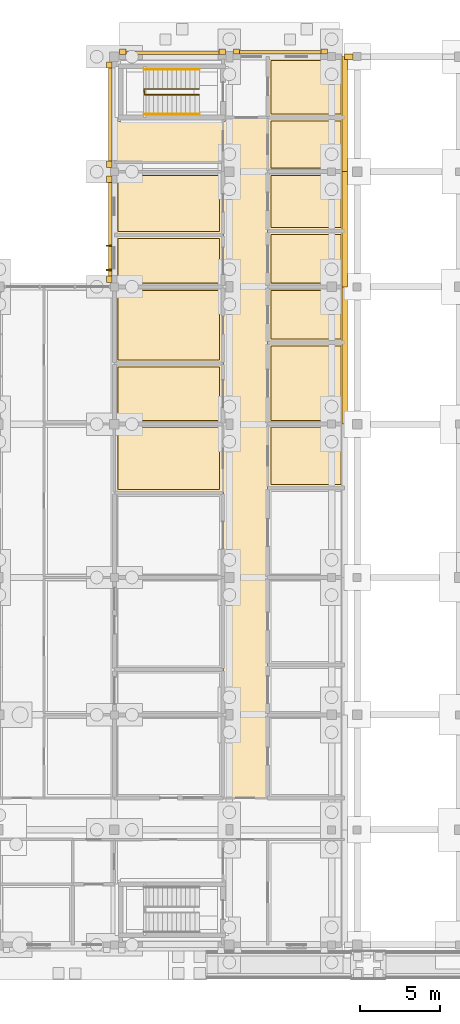
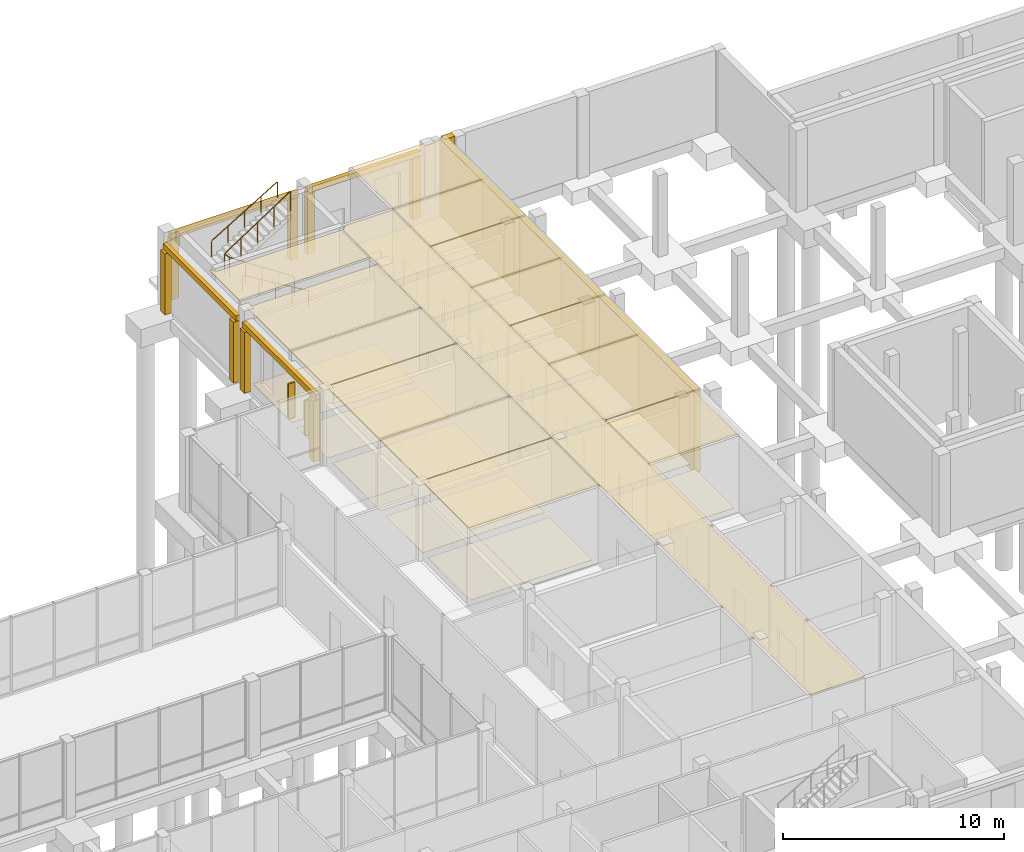
# One storey, part 102 of 104: 42 coverings, 3 railings, 2 shading devices.
"""IFC4 building model written with IfcOpenShell, lengths in metres."""

from ifc_helpers import new_model, si_unit, direction, frame, frame_2d, origin, origin_2d, place, context, subcontext, project, spatial, polyline, rectangle, circle, outline, extrude, material, layer, layer_set, type_object, element, save


model = new_model("IFC4")

# Units and contexts
model_context = context("Model", 3, precision=1e-05, world=origin(), true_north=direction((0.0, 1.0)))
body_context = subcontext(model_context, "Body", "Model", "MODEL_VIEW")
ifc_project = project(units=[si_unit("LENGTHUNIT", "METRE"), si_unit("AREAUNIT", "SQUARE_METRE"), si_unit("VOLUMEUNIT", "CUBIC_METRE"), si_unit("PLANEANGLEUNIT", "RADIAN"), si_unit("MASSUNIT", "GRAM", prefix="KILO")], contexts=[model_context])

# Site, building, storey
site_placement = place(None, origin())
site = spatial("IfcSite", under=ifc_project, at=site_placement, CompositionType="ELEMENT")
building_placement = place(site_placement, origin())
building = spatial("IfcBuilding", under=site, at=building_placement, Name="Hawrajan Terrace Health Centre", CompositionType="ELEMENT")
storey_placement = place(building_placement, origin())
storey = spatial("IfcBuildingStorey", under=building, at=storey_placement, Name="L00", CompositionType="ELEMENT", Elevation=0.0)

# Coverings
ifc_material_1 = material(Name="Precast concrete C40/50", Category="concrete")
ifc_layer_1 = layer(ifc_material_1, 0.219970703125)
ifc_layer_set_1 = layer_set([ifc_layer_1], Name="Precast concrete C40/50")
covering_type_1 = type_object("IfcCoveringType", Name="ArtDecoCorniceBand", PredefinedType="CLADDING", material=ifc_layer_set_1)
covering_1_placement = place(storey_placement, frame((114.739990234375, 49.0, 3.3701171875), z_axis=(0.0, 0.0, 1.0), x_axis=(0.0, 1.0, 0.0)))
element("IfcCovering", 1, at=covering_1_placement, inside=storey, type_object=covering_type_1, Name="Art Deco limestone cornice band CRN-L00-0042", PredefinedType="CLADDING", context=body_context, shape_type="SweptSolid", body=[
    extrude(rectangle(XDim=6.659912109375, YDim=0.219970703125, at=origin_2d()), origin(), (0.0, 0.0, 1.0), 0.300048828125),
])
covering_2_placement = place(storey_placement, frame((118.637451171875, 60.06005859375, 3.3701171875), z_axis=(0.0, 0.0, 1.0), x_axis=(1.0, 0.0, 0.0)))
element("IfcCovering", 2, at=covering_2_placement, inside=storey, type_object=covering_type_1, Name="Art Deco limestone cornice band CRN-L00-0043", PredefinedType="CLADDING", context=body_context, shape_type="SweptSolid", body=[
    extrude(rectangle(XDim=6.635009765625, YDim=0.219970703125, at=origin_2d()), origin(), (0.0, 0.0, 1.0), 0.300048828125),
])
covering_3_placement = place(storey_placement, frame((114.72998046875, 56.175048828125, 3.3701171875), z_axis=(0.0, 0.0, 1.0), x_axis=(0.0, 1.0, 0.0)))
element("IfcCovering", 3, at=covering_3_placement, inside=storey, type_object=covering_type_1, Name="Art Deco limestone cornice band CRN-L00-0044", PredefinedType="CLADDING", context=body_context, shape_type="SweptSolid", body=[
    extrude(rectangle(XDim=6.610107421875, YDim=0.219970703125, at=origin_2d()), origin(), (0.0, 0.0, 1.0), 0.300048828125),
])
covering_4_placement = place(storey_placement, frame((125.387451171875, 60.070068359375, 3.3701171875), z_axis=(0.0, 0.0, 1.0), x_axis=(1.0, 0.0, 0.0)))
element("IfcCovering", 4, at=covering_4_placement, inside=storey, type_object=covering_type_1, Name="Art Deco limestone cornice band CRN-L00-0046", PredefinedType="CLADDING", context=body_context, shape_type="SweptSolid", body=[
    extrude(rectangle(XDim=5.885009765625, YDim=0.219970703125, at=origin_2d()), origin(), (0.0, 0.0, 1.0), 0.300048828125),
])
ifc_layer_2 = layer(ifc_material_1, 0.340087890625)
ifc_layer_set_2 = layer_set([ifc_layer_2], Name="Precast concrete C40/50")
covering_type_2 = type_object("IfcCoveringType", Name="ArtDecoStonePilaster", PredefinedType="CLADDING", material=ifc_layer_set_2)
for number, where, z_axis, x_axis, name in (
    (5, (114.679931640625, 45.8701171875, 0.0), (0.0, 0.0, 1.0), (0.0, 1.0, 0.0), "Art Deco fluted limestone pilaster FPIL-L00-0053"),
    (6, (114.679931640625, 52.1298828125, 0.0), (0.0, 0.0, 1.0), (0.0, 1.0, 0.0), "Art Deco fluted limestone pilaster FPIL-L00-0054"),
    (7, (115.52001953125, 60.1201171875, 0.0), (0.0, 0.0, 1.0), (1.0, 0.0, 0.0), "Art Deco fluted limestone pilaster FPIL-L00-0055"),
    (8, (121.7548828125, 60.1201171875, 0.0), (0.0, 0.0, 1.0), (1.0, 0.0, 0.0), "Art Deco fluted limestone pilaster FPIL-L00-0056"),
    (9, (114.669921875, 53.070068359375, 0.0), (0.0, 0.0, 1.0), (0.0, 1.0, 0.0), "Art Deco fluted limestone pilaster FPIL-L00-0057"),
    (10, (114.669921875, 59.280029296875, 0.0), (0.0, 0.0, 1.0), (0.0, 1.0, 0.0), "Art Deco fluted limestone pilaster FPIL-L00-0058"),
    (11, (122.64501953125, 60.1298828125, 0.0), (0.0, 0.0, 1.0), (1.0, 0.0, 0.0), "Art Deco fluted limestone pilaster FPIL-L00-0061"),
    (12, (128.1298828125, 60.1298828125, 0.0), (0.0, 0.0, 1.0), (1.0, 0.0, 0.0), "Art Deco fluted limestone pilaster FPIL-L00-0062"),
):
    element("IfcCovering", number, at=place(storey_placement, frame(where, z_axis=z_axis, x_axis=x_axis)), inside=storey, type_object=covering_type_2, Name=name, PredefinedType="CLADDING", context=body_context, shape_type="SweptSolid", body=[
        extrude(rectangle(XDim=0.39990234375, YDim=0.340087890625, at=origin_2d()), origin(), (0.0, 0.0, 1.0), 3.360107421875),
    ])
ifc_material_2 = material(Name="Hygienic mineral-fibre acoustic tile ceiling")
ifc_layer_3 = layer(ifc_material_2, 0.02490234375)
ifc_layer_set_3 = layer_set([ifc_layer_3], Name="Hygienic mineral-fibre acoustic tile ceiling")
covering_type_3 = type_object("IfcCoveringType", Name="ClinicalAcousticCeiling_25", PredefinedType="CEILING", material=ifc_layer_set_3)
covering_5_placement = place(storey_placement, frame((0.0, 0.0, 4.155029296875)))
element("IfcCovering", 13, at=covering_5_placement, inside=storey, type_object=covering_type_3, Name="Suspended ceiling L00-035", PredefinedType="CEILING", context=body_context, shape_type="SweptSolid", body=[
    extrude(outline(polyline([(124.580078125, 55.97998046875), (124.580078125, 13.419921875), (121.820068359375, 13.419921875), (121.820068359375, 55.73095703125), (121.825439453125, 55.731201171875), (121.827392578125, 55.7314453125), (121.851806640625, 55.735107421875), (121.853515625, 55.7353515625), (121.87744140625, 55.741455078125), (121.87939453125, 55.741943359375), (121.90234375, 55.750244140625), (121.904296875, 55.7509765625), (121.926513671875, 55.761474609375), (121.927978515625, 55.762451171875), (121.94921875, 55.77490234375), (121.95068359375, 55.776123046875), (121.970458984375, 55.790771484375), (121.971923828125, 55.7919921875), (121.990234375, 55.808349609375), (121.99169921875, 55.809814453125), (122.008056640625, 55.827880859375), (122.00927734375, 55.82958984375), (122.02392578125, 55.84912109375), (122.02490234375, 55.850830078125), (122.03759765625, 55.871826171875), (122.03857421875, 55.87353515625), (122.049072265625, 55.895751953125), (122.0498046875, 55.897705078125), (122.05810546875, 55.920654296875), (122.05859375, 55.922607421875), (122.064697265625, 55.9462890625), (122.06494140625, 55.9482421875), (122.068603515625, 55.97265625), (122.06884765625, 55.974609375), (122.069091796875, 55.97998046875), (124.580078125, 55.97998046875)])), origin(), (0.0, 0.0, 1.0), 0.02490234375),
])
covering_6_placement = place(storey_placement, frame((0.0, 0.0, 4.155029296875)))
element("IfcCovering", 14, at=covering_6_placement, inside=storey, type_object=covering_type_3, Name="Suspended ceiling L00-038", PredefinedType="CEILING", context=body_context, shape_type="SweptSolid", body=[
    extrude(outline(polyline([(121.780029296875, 53.219970703125), (115.02001953125, 53.219970703125), (115.02001953125, 55.97998046875), (115.131103515625, 55.97998046875), (115.131103515625, 55.974609375), (115.13134765625, 55.97265625), (115.135009765625, 55.9482421875), (115.135498046875, 55.9462890625), (115.141357421875, 55.922607421875), (115.141845703125, 55.920654296875), (115.150146484375, 55.897705078125), (115.15087890625, 55.895751953125), (115.161376953125, 55.87353515625), (115.162353515625, 55.871826171875), (115.175048828125, 55.850830078125), (115.176025390625, 55.84912109375), (115.190673828125, 55.82958984375), (115.19189453125, 55.827880859375), (115.20849609375, 55.809814453125), (115.209716796875, 55.808349609375), (115.22802734375, 55.7919921875), (115.2294921875, 55.790771484375), (115.249267578125, 55.776123046875), (115.250732421875, 55.77490234375), (115.27197265625, 55.762451171875), (115.273681640625, 55.761474609375), (115.2958984375, 55.7509765625), (115.297607421875, 55.750244140625), (115.32080078125, 55.741943359375), (115.322509765625, 55.741455078125), (115.346435546875, 55.7353515625), (115.348388671875, 55.735107421875), (115.37255859375, 55.7314453125), (115.37451171875, 55.731201171875), (115.39892578125, 55.72998046875), (115.39990234375, 55.72998046875), (121.780029296875, 55.72998046875), (121.780029296875, 53.219970703125)])), origin(), (0.0, 0.0, 1.0), 0.02490234375),
])
covering_7_placement = place(storey_placement, frame((0.0, 0.0, 4.155029296875)))
element("IfcCovering", 15, at=covering_7_placement, inside=storey, type_object=covering_type_3, Name="Suspended ceiling L00-130", PredefinedType="CEILING", context=body_context, shape_type="SweptSolid", body=[
    extrude(outline(polyline([(115.02001953125, 36.780029296875), (121.780029296875, 36.780029296875), (121.780029296875, 32.509521484375), (115.02001953125, 32.509521484375), (115.02001953125, 36.780029296875)])), origin(), (0.0, 0.0, 1.0), 0.02490234375),
])
covering_8_placement = place(storey_placement, frame((0.0, 0.0, 4.155029296875)))
element("IfcCovering", 16, at=covering_8_placement, inside=storey, type_object=covering_type_3, Name="Suspended ceiling L00-131", PredefinedType="CEILING", context=body_context, shape_type="SweptSolid", body=[
    extrude(outline(polyline([(115.02001953125, 40.572509765625), (121.780029296875, 40.572509765625), (121.780029296875, 36.820068359375), (115.02001953125, 36.820068359375), (115.02001953125, 40.572509765625)])), origin(), (0.0, 0.0, 1.0), 0.02490234375),
])
covering_9_placement = place(storey_placement, frame((0.0, 0.0, 4.155029296875)))
element("IfcCovering", 17, at=covering_9_placement, inside=storey, type_object=covering_type_3, Name="Suspended ceiling L00-132", PredefinedType="CEILING", context=body_context, shape_type="SweptSolid", body=[
    extrude(outline(polyline([(115.02001953125, 45.3798828125), (121.780029296875, 45.3798828125), (121.780029296875, 40.612548828125), (115.02001953125, 40.612548828125), (115.02001953125, 45.3798828125)])), origin(), (0.0, 0.0, 1.0), 0.02490234375),
])
covering_10_placement = place(storey_placement, frame((0.0, 0.0, 4.155029296875)))
element("IfcCovering", 18, at=covering_10_placement, inside=storey, type_object=covering_type_3, Name="Suspended ceiling L00-133", PredefinedType="CEILING", context=body_context, shape_type="SweptSolid", body=[
    extrude(outline(polyline([(115.02001953125, 48.61279296875), (121.780029296875, 48.61279296875), (121.780029296875, 45.419921875), (115.02001953125, 45.419921875), (115.02001953125, 48.61279296875)])), origin(), (0.0, 0.0, 1.0), 0.02490234375),
])
covering_11_placement = place(storey_placement, frame((0.0, 0.0, 4.155029296875)))
element("IfcCovering", 19, at=covering_11_placement, inside=storey, type_object=covering_type_3, Name="Suspended ceiling L00-134", PredefinedType="CEILING", context=body_context, shape_type="SweptSolid", body=[
    extrude(outline(polyline([(115.02001953125, 52.580078125), (121.780029296875, 52.580078125), (121.780029296875, 48.65283203125), (115.02001953125, 48.65283203125), (115.02001953125, 52.580078125)])), origin(), (0.0, 0.0, 1.0), 0.02490234375),
])
covering_12_placement = place(storey_placement, frame((0.0, 0.0, 4.155029296875)))
element("IfcCovering", 20, at=covering_12_placement, inside=storey, type_object=covering_type_3, Name="Suspended ceiling L00-140", PredefinedType="CEILING", context=body_context, shape_type="SweptSolid", body=[
    extrude(outline(polyline([(124.6201171875, 36.780029296875), (129.375, 36.780029296875), (129.375, 32.8359375), (124.6201171875, 32.8359375), (124.6201171875, 36.780029296875)])), origin(), (0.0, 0.0, 1.0), 0.02490234375),
])
covering_13_placement = place(storey_placement, frame((0.0, 0.0, 4.155029296875)))
element("IfcCovering", 21, at=covering_13_placement, inside=storey, type_object=covering_type_3, Name="Suspended ceiling L00-141", PredefinedType="CEILING", context=body_context, shape_type="SweptSolid", body=[
    extrude(outline(polyline([(124.6201171875, 41.8798828125), (129.375, 41.8798828125), (129.375, 36.820068359375), (124.6201171875, 36.820068359375), (124.6201171875, 41.8798828125)])), origin(), (0.0, 0.0, 1.0), 0.02490234375),
])
covering_14_placement = place(storey_placement, frame((0.0, 0.0, 4.155029296875)))
element("IfcCovering", 22, at=covering_14_placement, inside=storey, type_object=covering_type_3, Name="Suspended ceiling L00-142", PredefinedType="CEILING", context=body_context, shape_type="SweptSolid", body=[
    extrude(outline(polyline([(124.6201171875, 45.3798828125), (129.375, 45.3798828125), (129.375, 41.919921875), (124.6201171875, 41.919921875), (124.6201171875, 45.3798828125)])), origin(), (0.0, 0.0, 1.0), 0.02490234375),
])
covering_15_placement = place(storey_placement, frame((0.0, 0.0, 4.155029296875)))
element("IfcCovering", 23, at=covering_15_placement, inside=storey, type_object=covering_type_3, Name="Suspended ceiling L00-143", PredefinedType="CEILING", context=body_context, shape_type="SweptSolid", body=[
    extrude(outline(polyline([(124.6201171875, 48.857666015625), (129.375, 48.857666015625), (129.375, 45.419921875), (124.6201171875, 45.419921875), (124.6201171875, 48.857666015625)])), origin(), (0.0, 0.0, 1.0), 0.02490234375),
])
covering_16_placement = place(storey_placement, frame((0.0, 0.0, 4.155029296875)))
element("IfcCovering", 24, at=covering_16_placement, inside=storey, type_object=covering_type_3, Name="Suspended ceiling L00-144", PredefinedType="CEILING", context=body_context, shape_type="SweptSolid", body=[
    extrude(outline(polyline([(124.6201171875, 52.580078125), (129.375, 52.580078125), (129.375, 48.897705078125), (124.6201171875, 48.897705078125), (124.6201171875, 52.580078125)])), origin(), (0.0, 0.0, 1.0), 0.02490234375),
])
covering_17_placement = place(storey_placement, frame((0.0, 0.0, 4.155029296875)))
element("IfcCovering", 25, at=covering_17_placement, inside=storey, type_object=covering_type_3, Name="Suspended ceiling L00-145", PredefinedType="CEILING", context=body_context, shape_type="SweptSolid", body=[
    extrude(outline(polyline([(124.6201171875, 55.97998046875), (129.375, 55.97998046875), (129.375, 52.6201171875), (124.6201171875, 52.6201171875), (124.6201171875, 55.97998046875)])), origin(), (0.0, 0.0, 1.0), 0.02490234375),
])
covering_18_placement = place(storey_placement, frame((0.0, 0.0, 4.155029296875)))
element("IfcCovering", 26, at=covering_18_placement, inside=storey, type_object=covering_type_3, Name="Suspended ceiling L00-146", PredefinedType="CEILING", context=body_context, shape_type="SweptSolid", body=[
    extrude(outline(polyline([(124.6201171875, 59.780029296875), (129.375, 59.780029296875), (129.375, 56.02001953125), (124.6201171875, 56.02001953125), (124.6201171875, 59.780029296875)])), origin(), (0.0, 0.0, 1.0), 0.02490234375),
])
ifc_material_3 = material(Name="Seamless medical-grade cushioned vinyl flooring")
ifc_layer_4 = layer(ifc_material_3, 0.011962890625)
ifc_layer_set_4 = layer_set([ifc_layer_4], Name="Seamless medical-grade cushioned vinyl flooring")
covering_type_4 = type_object("IfcCoveringType", Name="ClinicalVinylFlooring_12", PredefinedType="FLOORING", material=ifc_layer_set_4)
covering_19_placement = place(storey_placement, origin())
element("IfcCovering", 27, at=covering_19_placement, inside=storey, type_object=covering_type_4, Name="Floor finish L00-130", PredefinedType="FLOORING", context=body_context, shape_type="SweptSolid", body=[
    extrude(outline(polyline([(115.219970703125, 36.580078125), (121.580078125, 36.580078125), (121.580078125, 32.709716796875), (115.219970703125, 32.709716796875), (115.219970703125, 36.580078125)])), origin(), (0.0, 0.0, 1.0), 0.011962890625),
])
covering_20_placement = place(storey_placement, origin())
element("IfcCovering", 28, at=covering_20_placement, inside=storey, type_object=covering_type_4, Name="Floor finish L00-131", PredefinedType="FLOORING", context=body_context, shape_type="SweptSolid", body=[
    extrude(outline(polyline([(115.219970703125, 40.37255859375), (121.580078125, 40.37255859375), (121.580078125, 37.02001953125), (115.219970703125, 37.02001953125), (115.219970703125, 40.37255859375)])), origin(), (0.0, 0.0, 1.0), 0.011962890625),
])
covering_21_placement = place(storey_placement, origin())
element("IfcCovering", 29, at=covering_21_placement, inside=storey, type_object=covering_type_4, Name="Floor finish L00-132", PredefinedType="FLOORING", context=body_context, shape_type="SweptSolid", body=[
    extrude(outline(polyline([(115.219970703125, 45.179931640625), (121.580078125, 45.179931640625), (121.580078125, 40.8125), (115.219970703125, 40.8125), (115.219970703125, 45.179931640625)])), origin(), (0.0, 0.0, 1.0), 0.011962890625),
])
covering_22_placement = place(storey_placement, origin())
element("IfcCovering", 30, at=covering_22_placement, inside=storey, type_object=covering_type_4, Name="Floor finish L00-133", PredefinedType="FLOORING", context=body_context, shape_type="SweptSolid", body=[
    extrude(outline(polyline([(115.219970703125, 48.412841796875), (121.580078125, 48.412841796875), (121.580078125, 45.6201171875), (115.219970703125, 45.6201171875), (115.219970703125, 48.412841796875)])), origin(), (0.0, 0.0, 1.0), 0.011962890625),
])
covering_23_placement = place(storey_placement, origin())
element("IfcCovering", 31, at=covering_23_placement, inside=storey, type_object=covering_type_4, Name="Floor finish L00-134", PredefinedType="FLOORING", context=body_context, shape_type="SweptSolid", body=[
    extrude(outline(polyline([(115.219970703125, 52.3798828125), (121.580078125, 52.3798828125), (121.580078125, 48.852783203125), (115.219970703125, 48.852783203125), (115.219970703125, 52.3798828125)])), origin(), (0.0, 0.0, 1.0), 0.011962890625),
])
covering_24_placement = place(storey_placement, origin())
element("IfcCovering", 32, at=covering_24_placement, inside=storey, type_object=covering_type_4, Name="Floor finish L00-140", PredefinedType="FLOORING", context=body_context, shape_type="SweptSolid", body=[
    extrude(outline(polyline([(124.820068359375, 36.580078125), (129.175048828125, 36.580078125), (129.175048828125, 33.035888671875), (124.820068359375, 33.035888671875), (124.820068359375, 36.580078125)])), origin(), (0.0, 0.0, 1.0), 0.011962890625),
])
covering_25_placement = place(storey_placement, origin())
element("IfcCovering", 33, at=covering_25_placement, inside=storey, type_object=covering_type_4, Name="Floor finish L00-141", PredefinedType="FLOORING", context=body_context, shape_type="SweptSolid", body=[
    extrude(outline(polyline([(124.820068359375, 41.6796875), (129.175048828125, 41.6796875), (129.175048828125, 37.02001953125), (124.820068359375, 37.02001953125), (124.820068359375, 41.6796875)])), origin(), (0.0, 0.0, 1.0), 0.011962890625),
])
covering_26_placement = place(storey_placement, origin())
element("IfcCovering", 34, at=covering_26_placement, inside=storey, type_object=covering_type_4, Name="Floor finish L00-142", PredefinedType="FLOORING", context=body_context, shape_type="SweptSolid", body=[
    extrude(outline(polyline([(124.820068359375, 45.179931640625), (129.175048828125, 45.179931640625), (129.175048828125, 42.119873046875), (124.820068359375, 42.119873046875), (124.820068359375, 45.179931640625)])), origin(), (0.0, 0.0, 1.0), 0.011962890625),
])
covering_27_placement = place(storey_placement, origin())
element("IfcCovering", 35, at=covering_27_placement, inside=storey, type_object=covering_type_4, Name="Floor finish L00-143", PredefinedType="FLOORING", context=body_context, shape_type="SweptSolid", body=[
    extrude(outline(polyline([(124.820068359375, 48.65771484375), (129.175048828125, 48.65771484375), (129.175048828125, 45.6201171875), (124.820068359375, 45.6201171875), (124.820068359375, 48.65771484375)])), origin(), (0.0, 0.0, 1.0), 0.011962890625),
])
covering_28_placement = place(storey_placement, origin())
element("IfcCovering", 36, at=covering_28_placement, inside=storey, type_object=covering_type_4, Name="Floor finish L00-144", PredefinedType="FLOORING", context=body_context, shape_type="SweptSolid", body=[
    extrude(outline(polyline([(124.820068359375, 52.3798828125), (129.175048828125, 52.3798828125), (129.175048828125, 49.09765625), (124.820068359375, 49.09765625), (124.820068359375, 52.3798828125)])), origin(), (0.0, 0.0, 1.0), 0.011962890625),
])
covering_29_placement = place(storey_placement, origin())
element("IfcCovering", 37, at=covering_29_placement, inside=storey, type_object=covering_type_4, Name="Floor finish L00-145", PredefinedType="FLOORING", context=body_context, shape_type="SweptSolid", body=[
    extrude(outline(polyline([(124.820068359375, 55.780029296875), (129.175048828125, 55.780029296875), (129.175048828125, 52.820068359375), (124.820068359375, 52.820068359375), (124.820068359375, 55.780029296875)])), origin(), (0.0, 0.0, 1.0), 0.011962890625),
])
covering_30_placement = place(storey_placement, origin())
element("IfcCovering", 38, at=covering_30_placement, inside=storey, type_object=covering_type_4, Name="Floor finish L00-146", PredefinedType="FLOORING", context=body_context, shape_type="SweptSolid", body=[
    extrude(outline(polyline([(124.820068359375, 59.580078125), (129.175048828125, 59.580078125), (129.175048828125, 56.219970703125), (124.820068359375, 56.219970703125), (124.820068359375, 59.580078125)])), origin(), (0.0, 0.0, 1.0), 0.011962890625),
])
ifc_layer_5 = layer(ifc_material_1, 0.340087890625)
ifc_layer_set_5 = layer_set([ifc_layer_5], Name="Precast concrete C40/50")
covering_type_5 = type_object("IfcCoveringType", Name="EscarpmentAshlar_Cladding", PredefinedType="CLADDING", material=ifc_layer_set_5)
covering_31_placement = place(storey_placement, frame((129.419921875, 36.800048828125, -0.39990234375), z_axis=(0.0, 0.0, 1.0), x_axis=(0.0, 1.0, 0.0)))
element("IfcCovering", 39, at=covering_31_placement, inside=storey, type_object=covering_type_5, Name="Eastern limestone escarpment plinth cladding EW-ESC-L00-008", PredefinedType="CLADDING", context=body_context, shape_type="SweptSolid", body=[
    extrude(rectangle(XDim=8.599853515625, YDim=0.340087890625, at=frame_2d((4.2998046875, 0.0))), origin(), (0.0, 0.0, 1.0), 4.52001953125),
])
covering_32_placement = place(storey_placement, frame((129.419921875, 45.39990234375, -0.39990234375), z_axis=(0.0, 0.0, 1.0), x_axis=(0.0, 1.0, 0.0)))
element("IfcCovering", 40, at=covering_32_placement, inside=storey, type_object=covering_type_5, Name="Eastern limestone escarpment plinth cladding EW-ESC-L00-009", PredefinedType="CLADDING", context=body_context, shape_type="SweptSolid", body=[
    extrude(rectangle(XDim=7.2001953125, YDim=0.340087890625, at=frame_2d((3.60009765625, 0.0))), origin(), (0.0, 0.0, 1.0), 4.52001953125),
])
covering_33_placement = place(storey_placement, frame((129.419921875, 59.800048828125, -0.39990234375), z_axis=(0.0, 0.0, 1.0), x_axis=(1.0, 0.0, 0.0)))
element("IfcCovering", 41, at=covering_33_placement, inside=storey, type_object=covering_type_5, Name="Eastern limestone escarpment plinth cladding EW-ESC-L00-010", PredefinedType="CLADDING", context=body_context, shape_type="SweptSolid", body=[
    extrude(rectangle(XDim=0.530029296875, YDim=0.340087890625, at=frame_2d((0.26513671875, 0.0))), origin(), (0.0, 0.0, 1.0), 4.52001953125),
])
covering_34_placement = place(storey_placement, frame((129.419921875, 52.60009765625, -0.39990234375), z_axis=(0.0, 0.0, 1.0), x_axis=(0.0, 1.0, 0.0)))
element("IfcCovering", 42, at=covering_34_placement, inside=storey, type_object=covering_type_5, Name="Eastern limestone escarpment plinth cladding EW-ESC-L00-012", PredefinedType="CLADDING", context=body_context, shape_type="SweptSolid", body=[
    extrude(rectangle(XDim=7.199951171875, YDim=0.340087890625, at=frame_2d((3.60009765625, 0.0))), origin(), (0.0, 0.0, 1.0), 4.52001953125),
])

# Shading devices
ifc_material_4 = material(Name="Anodized bronze mashrabiya vertical solar fin")
ifc_layer_6 = layer(ifc_material_4, 0.080078125)
ifc_layer_set_6 = layer_set([ifc_layer_6], Name="Anodized bronze mashrabiya vertical solar fin")
shading_device_type = type_object("IfcShadingDeviceType", Name="MashrabiyaVerticalFin", PredefinedType="USERDEFINED", material=ifc_layer_set_6)
for number, where, z_axis, x_axis, name in (
    (43, (114.669921875, 46.44140625, 1.0), (0.0, 0.0, 1.0), (0.0, 1.0, 0.0), "Bronze mashrabiya solar fin FIN-L00-0043"),
    (44, (114.669921875, 47.96142578125, 1.0), (0.0, 0.0, 1.0), (0.0, 1.0, 0.0), "Bronze mashrabiya solar fin FIN-L00-0044"),
):
    element("IfcShadingDevice", number, at=place(storey_placement, frame(where, z_axis=z_axis, x_axis=x_axis)), inside=storey, type_object=shading_device_type, Name=name, ObjectType="SOLAR_FIN", PredefinedType="USERDEFINED", context=body_context, shape_type="SweptSolid", body=[
        extrude(rectangle(XDim=0.080078125, YDim=0.360107421875, at=origin_2d()), origin(), (0.0, 0.0, 1.0), 1.949951171875),
    ])

# Railings
ifc_material_5 = material(Name="Brushed stainless steel tubular handrail", Category="steel")
railing_type_1 = type_object("IfcRailingType", Name="StairHandrail_900", PredefinedType="HANDRAIL", material=ifc_material_5)
railing_1_placement = place(storey_placement, frame((120.324951171875, 56.199951171875, 0.173095703125)))
element("IfcRailing", 45, at=railing_1_placement, inside=storey, type_object=railing_type_1, Name="Stair handrail ST-7-L00-H1", PredefinedType="HANDRAIL", context=body_context, shape_type="SweptSolid", body=[
    extrude(circle(Radius=0.02392578125, at=origin_2d()), frame((-0.024658203125, 0.0, 0.890625), z_axis=(-0.856732359591, 0.0, 0.515761247119), x_axis=(0.0, -1.0, 0.0)), (0.0, 0.0, 1.0), 3.96923828125),
    extrude(circle(Radius=0.02099609375, at=origin_2d()), origin(), (0.0, 0.0, 1.0), 0.846923828125),
    extrude(circle(Radius=0.02099609375, at=origin_2d()), frame((-0.862548828125, 0.0, 0.519287109375)), (0.0, 0.0, 1.0), 0.846923828125),
    extrude(circle(Radius=0.02099609375, at=origin_2d()), frame((-1.72509765625, 0.0, 1.03857421875)), (0.0, 0.0, 1.0), 0.846923828125),
    extrude(circle(Radius=0.02099609375, at=origin_2d()), frame((-2.58740234375, 0.0, 1.5576171875)), (0.0, 0.0, 1.0), 0.846923828125),
    extrude(circle(Radius=0.02099609375, at=origin_2d()), frame((-3.449951171875, 0.0, 2.076904296875)), (0.0, 0.0, 1.0), 0.846923828125),
])
railing_2_placement = place(storey_placement, frame((116.875, 59.0, 2.423095703125)))
element("IfcRailing", 46, at=railing_2_placement, inside=storey, type_object=railing_type_1, Name="Stair handrail ST-7-L00-H2", PredefinedType="HANDRAIL", context=body_context, shape_type="SweptSolid", body=[
    extrude(circle(Radius=0.02392578125, at=origin_2d()), frame((0.024658203125, 0.0, 0.890625), z_axis=(0.856732359591, 0.0, 0.515761247119), x_axis=(0.0, 1.0, 0.0)), (0.0, 0.0, 1.0), 3.96923828125),
    extrude(circle(Radius=0.02099609375, at=origin_2d()), origin(), (0.0, 0.0, 1.0), 0.846923828125),
    extrude(circle(Radius=0.02099609375, at=origin_2d()), frame((0.862548828125, 0.0, 0.519287109375)), (0.0, 0.0, 1.0), 0.846923828125),
    extrude(circle(Radius=0.02099609375, at=origin_2d()), frame((1.72509765625, 0.0, 1.03857421875)), (0.0, 0.0, 1.0), 0.846923828125),
    extrude(circle(Radius=0.02099609375, at=origin_2d()), frame((2.58740234375, 0.0, 1.5576171875)), (0.0, 0.0, 1.0), 0.846923828125),
    extrude(circle(Radius=0.02099609375, at=origin_2d()), frame((3.449951171875, 0.0, 2.076904296875)), (0.0, 0.0, 1.0), 0.846923828125),
])
ifc_material_6 = material(Name="Painted steel stair well guard", Category="steel")
railing_type_2 = type_object("IfcRailingType", Name="StairWellGuard_1120", PredefinedType="GUARDRAIL", material=ifc_material_6)
railing_3_placement = place(storey_placement, frame((120.300048828125, 57.419921875, 0.0)))
element("IfcRailing", 47, at=railing_3_placement, inside=storey, type_object=railing_type_2, Name="Stair well guard ST-7-L00-G1", PredefinedType="GUARDRAIL", context=body_context, shape_type="SweptSolid", body=[
    extrude(circle(Radius=0.02392578125, at=origin_2d()), frame((-0.024169921875, 0.0, 1.112060546875), z_axis=(-0.833943147616, 0.0, 0.551850366082), x_axis=(0.0, -1.0, 0.0)), (0.0, 0.0, 1.0), 4.01953125),
    extrude(circle(Radius=0.02392578125, at=origin_2d()), frame((-3.404052734375, 0.028564453125, 3.34619140625), z_axis=(-0.137000993654, 0.99057091, 0.0), x_axis=(-0.99057091, -0.137000993654, 0.0)), (0.0, 0.0, 1.0), 0.305908203125),
    extrude(circle(Radius=0.02392578125, at=origin_2d()), frame((-3.42578125, 0.360107421875, 3.36181640625), z_axis=(0.837607059222, 0.0, 0.546273204854), x_axis=(0.0, 1.0, 0.0)), (0.0, 0.0, 1.0), 4.06103515625),
    extrude(circle(Radius=0.02099609375, at=origin_2d()), origin(), (0.0, 0.0, 1.0), 1.067138671875),
    extrude(circle(Radius=0.02099609375, at=origin_2d()), frame((-0.85009765625, 0.0, 0.5625)), (0.0, 0.0, 1.0), 1.067138671875),
    extrude(circle(Radius=0.02099609375, at=origin_2d()), frame((-1.7001953125, 0.0, 1.125)), (0.0, 0.0, 1.0), 1.067138671875),
    extrude(circle(Radius=0.02099609375, at=origin_2d()), frame((-2.550048828125, 0.0, 1.6875)), (0.0, 0.0, 1.0), 1.067138671875),
    extrude(circle(Radius=0.02099609375, at=origin_2d()), frame((-3.400146484375, 0.0, 2.25)), (0.0, 0.0, 1.0), 1.067138671875),
    extrude(circle(Radius=0.02099609375, at=origin_2d()), frame((-3.449951171875, 0.360107421875, 2.25)), (0.0, 0.0, 1.0), 1.067138671875),
    extrude(circle(Radius=0.02099609375, at=origin_2d()), frame((-2.58740234375, 0.360107421875, 2.8125)), (0.0, 0.0, 1.0), 1.067138671875),
    extrude(circle(Radius=0.02099609375, at=origin_2d()), frame((-1.72509765625, 0.360107421875, 3.375)), (0.0, 0.0, 1.0), 1.067138671875),
    extrude(circle(Radius=0.02099609375, at=origin_2d()), frame((-0.862548828125, 0.360107421875, 3.9375)), (0.0, 0.0, 1.0), 1.067138671875),
    extrude(circle(Radius=0.02099609375, at=origin_2d()), frame((0.0, 0.360107421875, 4.5)), (0.0, 0.0, 1.0), 1.067138671875),
])

save(model, "model.ifc")
